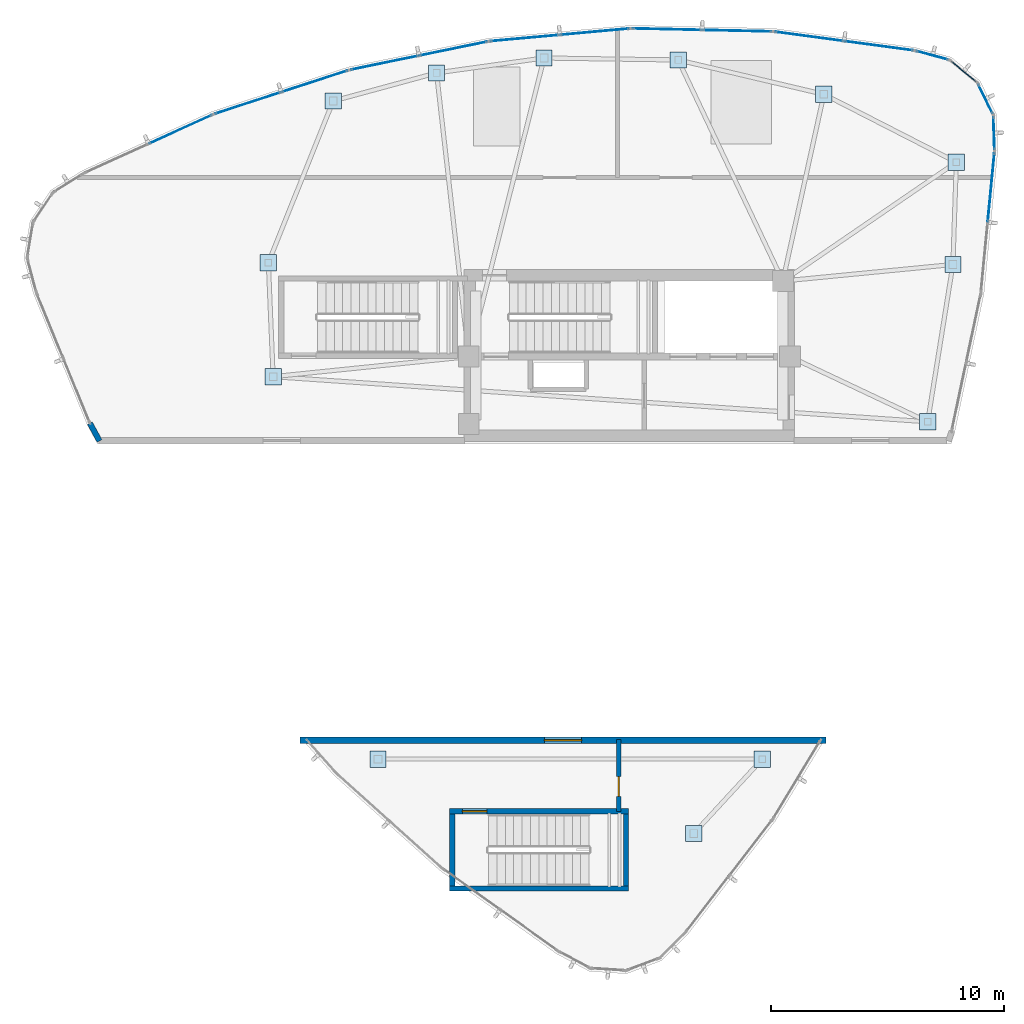
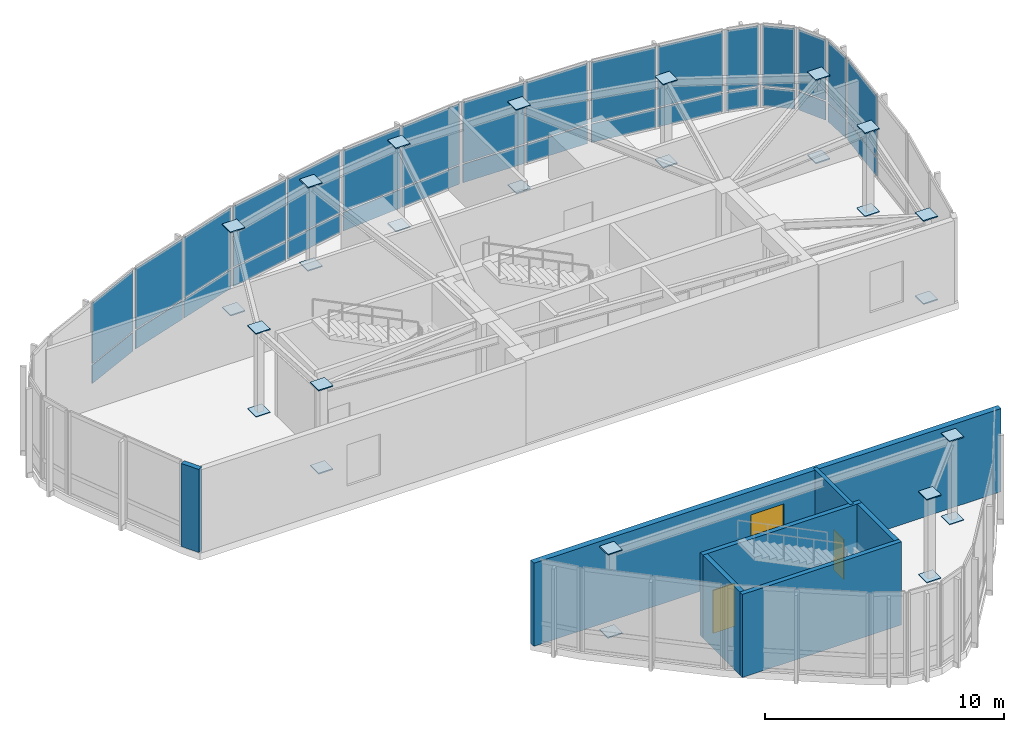
# One storey, part 10 of 16: 58 plates, 7 walls, 2 doors, 1 window, 3 openings, 11 elements without a shape of their own.
"""IFC4 building model written with IfcOpenShell, lengths in metres."""

from ifc_helpers import new_model, si_unit, direction, frame, frame_2d, origin, origin_2d, place, context, subcontext, project, spatial, rectangle, extrude, source, transform, mapped, material, layer, layer_set, type_object, type_shapes, element, fill, aggregate, save


model = new_model("IFC4")

# Units and contexts
model_context = context("Model", 3, precision=1e-05, world=origin(), true_north=direction((0.0, 1.0)))
body_context = subcontext(model_context, "Body", "Model", "MODEL_VIEW")
ifc_project = project(units=[si_unit("LENGTHUNIT", "METRE"), si_unit("AREAUNIT", "SQUARE_METRE"), si_unit("VOLUMEUNIT", "CUBIC_METRE"), si_unit("PLANEANGLEUNIT", "RADIAN"), si_unit("MASSUNIT", "GRAM", prefix="KILO")], contexts=[model_context])

# Site, building, storey
site_placement = place(None, origin())
site = spatial("IfcSite", under=ifc_project, at=site_placement, CompositionType="ELEMENT")
building_placement = place(site_placement, origin())
building = spatial("IfcBuilding", under=site, at=building_placement, Name="Tavelor Broadcast Tower", CompositionType="ELEMENT")
storey_placement = place(building_placement, frame((0.0, 0.0, 336.699951171875)))
storey = spatial("IfcBuildingStorey", under=building, at=storey_placement, Name="L80", CompositionType="ELEMENT", Elevation=336.699951171875)

# Plates
ifc_material_1 = material(Name="Steel S460", Category="steel")
ifc_layer_1 = layer(ifc_material_1, 0.050048828125)
ifc_layer_set_1 = layer_set([ifc_layer_1], Name="Steel S460")
plate_type_1 = type_object("IfcPlateType", Name="Tube Hollow-End Cap Plate KN05 700x700x50", PredefinedType="USERDEFINED", material=ifc_layer_set_1)
shared_shape_1 = source(origin(), body_context, "Body", "SweptSolid", [
    extrude(rectangle(XDim=0.699951171875, YDim=0.699951171875, at=origin_2d()), origin(), (0.0, 0.0, 1.0), 0.054931640625),
])
type_shapes(plate_type_1, [shared_shape_1])
for number, where, z_axis, x_axis, name in (
    (1, (37.27294921875, 58.9375, -0.02734375), (0.0, 0.0, 1.0), (1.0, 0.0, 0.0), "L80 Hollow End Cap Plate KN05 #2451"),
    (2, (37.27294921875, 58.9375, 4.22265625), (0.0, 0.0, 1.0), (1.0, 0.0, 0.0), "L80 Hollow End Cap Plate KN05 #2452"),
    (3, (34.4853515625, 51.989013671875, -0.02734375), (0.0, 0.0, 1.0), (1.0, 0.0, 0.0), "L80 Hollow End Cap Plate KN05 #2453"),
    (4, (34.4853515625, 51.989013671875, 4.22265625), (0.0, 0.0, 1.0), (1.0, 0.0, 0.0), "L80 Hollow End Cap Plate KN05 #2454"),
    (5, (34.690673828125, 47.090087890625, -0.02734375), (0.0, 0.0, 1.0), (1.0, 0.0, 0.0), "L80 Hollow End Cap Plate KN05 #2455"),
    (6, (34.690673828125, 47.090087890625, 4.22265625), (0.0, 0.0, 1.0), (1.0, 0.0, 0.0), "L80 Hollow End Cap Plate KN05 #2456"),
    (7, (62.826416015625, 45.14990234375, -0.02734375), (0.0, 0.0, 1.0), (1.0, 0.0, 0.0), "L80 Hollow End Cap Plate KN05 #2457"),
    (8, (62.826416015625, 45.14990234375, 4.22265625), (0.0, 0.0, 1.0), (1.0, 0.0, 0.0), "L80 Hollow End Cap Plate KN05 #2458"),
    (9, (63.910888671875, 51.91064453125, -0.02734375), (0.0, 0.0, 1.0), (1.0, 0.0, 0.0), "L80 Hollow End Cap Plate KN05 #2459"),
    (10, (63.910888671875, 51.91064453125, 4.22265625), (0.0, 0.0, 1.0), (1.0, 0.0, 0.0), "L80 Hollow End Cap Plate KN05 #2460"),
    (11, (64.058349609375, 56.30859375, -0.02734375), (0.0, 0.0, 1.0), (1.0, 0.0, 0.0), "L80 Hollow End Cap Plate KN05 #2461"),
    (12, (64.058349609375, 56.30859375, 4.22265625), (0.0, 0.0, 1.0), (1.0, 0.0, 0.0), "L80 Hollow End Cap Plate KN05 #2462"),
    (13, (58.364013671875, 59.226318359375, -0.02734375), (0.0, 0.0, 1.0), (1.0, 0.0, 0.0), "L80 Hollow End Cap Plate KN05 #2463"),
    (14, (58.364013671875, 59.226318359375, 4.22265625), (0.0, 0.0, 1.0), (1.0, 0.0, 0.0), "L80 Hollow End Cap Plate KN05 #2464"),
    (15, (52.10400390625, 60.701416015625, -0.02734375), (0.0, 0.0, 1.0), (1.0, 0.0, 0.0), "L80 Hollow End Cap Plate KN05 #2465"),
    (16, (52.10400390625, 60.701416015625, 4.22265625), (0.0, 0.0, 1.0), (1.0, 0.0, 0.0), "L80 Hollow End Cap Plate KN05 #2466"),
    (17, (46.337158203125, 60.786865234375, -0.02734375), (0.0, 0.0, 1.0), (1.0, 0.0, 0.0), "L80 Hollow End Cap Plate KN05 #2467"),
    (18, (46.337158203125, 60.786865234375, 4.22265625), (0.0, 0.0, 1.0), (1.0, 0.0, 0.0), "L80 Hollow End Cap Plate KN05 #2468"),
    (19, (41.715087890625, 60.145751953125, -0.02734375), (0.0, 0.0, 1.0), (1.0, 0.0, 0.0), "L80 Hollow End Cap Plate KN05 #2469"),
    (20, (41.715087890625, 60.145751953125, 4.22265625), (0.0, 0.0, 1.0), (1.0, 0.0, 0.0), "L80 Hollow End Cap Plate KN05 #2470"),
    (21, (52.76708984375, 27.447998046875, -0.02734375), (0.0, 0.0, 1.0), (1.0, 0.0, 0.0), "L80 Hollow End Cap Plate KN05 #2471"),
    (22, (52.76708984375, 27.447998046875, 4.22265625), (0.0, 0.0, 1.0), (1.0, 0.0, 0.0), "L80 Hollow End Cap Plate KN05 #2472"),
    (23, (55.718505859375, 30.64990234375, -0.02734375), (0.0, 0.0, 1.0), (1.0, 0.0, 0.0), "L80 Hollow End Cap Plate KN05 #2473"),
    (24, (55.718505859375, 30.64990234375, 4.22265625), (0.0, 0.0, 1.0), (1.0, 0.0, 0.0), "L80 Hollow End Cap Plate KN05 #2474"),
    (25, (39.197509765625, 30.64990234375, -0.02734375), (0.0, 0.0, 1.0), (1.0, 0.0, 0.0), "L80 Hollow End Cap Plate KN05 #2475"),
    (26, (39.197509765625, 30.64990234375, 4.22265625), (0.0, 0.0, 1.0), (1.0, 0.0, 0.0), "L80 Hollow End Cap Plate KN05 #2476"),
):
    element("IfcPlate", number, at=place(storey_placement, frame(where, z_axis=z_axis, x_axis=x_axis)), inside=storey, type_object=plate_type_1, Name=name, ObjectType="CAP PLATE", PredefinedType="USERDEFINED", context=body_context, shape_type="MappedRepresentation", body=[
        mapped(shared_shape_1, transform((0.0, 0.0, 0.0), scale=1.0)),
    ])

# Curtain wall, plate
ifc_material_2 = material(Name="Architectural Anodized Aluminium", Category="aluminium")
ifc_layer_2 = layer(ifc_material_2, 0.2099609375)
ifc_layer_set_2 = layer_set([ifc_layer_2], Name="Architectural Anodized Aluminium")
curtain_wall_type = type_object("IfcCurtainWallType", Name="Split-Crown Beacon Curtain Wall CW06", PredefinedType="NOTDEFINED", material=ifc_layer_set_2)
curtain_wall_1_placement = place(storey_placement, origin())
curtain_wall_1 = element("IfcCurtainWall", 27, at=curtain_wall_1_placement, inside=storey, type_object=curtain_wall_type, Name="L80 Curtain Wall CW06 Run 904", PredefinedType="NOTDEFINED")
ifc_material_3 = material(Name="Dichroic Solar Laminated Glazing 34 mm", Category="glass")
ifc_layer_3 = layer(ifc_material_3, 0.033935546875)
ifc_layer_set_3 = layer_set([ifc_layer_3], Name="Dichroic Solar Laminated Glazing 34 mm")
plate_type_2 = type_object("IfcPlateType", Name="CW06 Insulated Vision Glazing Panel 34 mm", PredefinedType="CURTAIN_PANEL", material=ifc_layer_set_3)
shared_shape_2 = source(origin(), body_context, "Body", "SweptSolid", [
    extrude(rectangle(XDim=2.94140625, YDim=0.033935546875, at=origin_2d()), origin(), (0.0, 0.0, 1.0), 0.94189453125),
])
plate_1_placement = place(storey_placement, frame((65.552001953125, 55.22412109375, 0.072021484375), z_axis=(0.0, 0.0, 1.0), x_axis=(0.09619633773, 0.995362378537, 0.0)))
plate_1 = element("IfcPlate", 28, at=plate_1_placement, type_object=plate_type_2, Name="CW06 panel 2.1", PredefinedType="CURTAIN_PANEL", context=body_context, shape_type="MappedRepresentation", body=[
    mapped(shared_shape_2, transform((0.0, 0.0, 0.0), scale=1.0)),
])

# Curtain wall, plates
curtain_wall_2_placement = place(storey_placement, origin())
curtain_wall_2 = element("IfcCurtainWall", 29, at=curtain_wall_2_placement, inside=storey, type_object=curtain_wall_type, Name="L80 Curtain Wall CW06 Run 909", PredefinedType="NOTDEFINED")
plate_2_placement = place(storey_placement, frame((60.7275390625, 61.311279296875, 0.072021484375), z_axis=(0.0, 0.0, 1.0), x_axis=(-0.991031496578, 0.133628487947, 0.0)))
plate_2 = element("IfcPlate", 30, at=plate_2_placement, type_object=plate_type_2, Name="CW06 panel 1.1", PredefinedType="CURTAIN_PANEL", context=body_context, shape_type="MappedRepresentation", body=[
    mapped(shared_shape_2, transform((0.0, 0.0, 0.0), scale=1.0)),
])
plate_3_placement = place(storey_placement, frame((57.740966796875, 61.7138671875, 0.072021484375), z_axis=(0.0, 0.0, 1.0), x_axis=(-0.991031496578, 0.133628487947, 0.0)))
plate_3 = element("IfcPlate", 31, at=plate_3_placement, type_object=plate_type_2, Name="CW06 panel 2.1", PredefinedType="CURTAIN_PANEL", context=body_context, shape_type="MappedRepresentation", body=[
    mapped(shared_shape_2, transform((0.0, 0.0, 0.0), scale=1.0)),
])

# Curtain wall, plate
curtain_wall_3_placement = place(storey_placement, origin())
curtain_wall_3 = element("IfcCurtainWall", 32, at=curtain_wall_3_placement, inside=storey, type_object=curtain_wall_type, Name="L80 Curtain Wall CW06 Run 914", PredefinedType="NOTDEFINED")
plate_4_placement = place(storey_placement, frame((30.712158203125, 57.72265625, 0.072021484375), z_axis=(0.0, 0.0, 1.0), x_axis=(-0.910109689014, -0.414367414215, 0.0)))
plate_4 = element("IfcPlate", 33, at=plate_4_placement, type_object=plate_type_2, Name="CW06 panel 1.1", PredefinedType="CURTAIN_PANEL", context=body_context, shape_type="MappedRepresentation", body=[
    mapped(shared_shape_2, transform((0.0, 0.0, 0.0), scale=1.0)),
])

# Plate
shared_shape_3 = source(origin(), body_context, "Body", "SweptSolid", [
    extrude(rectangle(XDim=2.94140625, YDim=0.033935546875, at=origin_2d()), origin(), (0.0, 0.0, 1.0), 3.092041015625),
])
plate_5_placement = place(storey_placement, frame((65.552001953125, 55.22412109375, 1.0859375), z_axis=(0.0, 0.0, 1.0), x_axis=(0.09619633773, 0.995362378537, 0.0)))
plate_5 = element("IfcPlate", 34, at=plate_5_placement, type_object=plate_type_2, Name="CW06 panel 2.2", PredefinedType="CURTAIN_PANEL", context=body_context, shape_type="MappedRepresentation", body=[
    mapped(shared_shape_3, transform((0.0, 0.0, 0.0), scale=1.0)),
])

aggregate(curtain_wall_1, [plate_1, plate_5])

plate_6_placement = place(storey_placement, frame((60.7275390625, 61.311279296875, 1.0859375), z_axis=(0.0, 0.0, 1.0), x_axis=(-0.991031496578, 0.133628487947, 0.0)))
plate_6 = element("IfcPlate", 35, at=plate_6_placement, type_object=plate_type_2, Name="CW06 panel 1.2", PredefinedType="CURTAIN_PANEL", context=body_context, shape_type="MappedRepresentation", body=[
    mapped(shared_shape_3, transform((0.0, 0.0, 0.0), scale=1.0)),
])

plate_7_placement = place(storey_placement, frame((57.740966796875, 61.7138671875, 1.0859375), z_axis=(0.0, 0.0, 1.0), x_axis=(-0.991031496578, 0.133628487947, 0.0)))
plate_7 = element("IfcPlate", 36, at=plate_7_placement, type_object=plate_type_2, Name="CW06 panel 2.2", PredefinedType="CURTAIN_PANEL", context=body_context, shape_type="MappedRepresentation", body=[
    mapped(shared_shape_3, transform((0.0, 0.0, 0.0), scale=1.0)),
])

aggregate(curtain_wall_2, [plate_2, plate_6, plate_3, plate_7])

plate_8_placement = place(storey_placement, frame((30.712158203125, 57.72265625, 1.0859375), z_axis=(0.0, 0.0, 1.0), x_axis=(-0.910109689014, -0.414367414215, 0.0)))
plate_8 = element("IfcPlate", 37, at=plate_8_placement, type_object=plate_type_2, Name="CW06 panel 1.2", PredefinedType="CURTAIN_PANEL", context=body_context, shape_type="MappedRepresentation", body=[
    mapped(shared_shape_3, transform((0.0, 0.0, 0.0), scale=1.0)),
])

aggregate(curtain_wall_3, [plate_4, plate_8])

# Curtain wall, plate
curtain_wall_4_placement = place(storey_placement, origin())
curtain_wall_4 = element("IfcCurtainWall", 38, at=curtain_wall_4_placement, inside=storey, type_object=curtain_wall_type, Name="L80 Curtain Wall CW06 Run 905", PredefinedType="NOTDEFINED")
shared_shape_4 = source(origin(), body_context, "Body", "SweptSolid", [
    extrude(rectangle(XDim=1.38720703125, YDim=0.033935546875, at=origin_2d()), origin(), (0.0, 0.0, 1.0), 0.94189453125),
])
plate_9_placement = place(storey_placement, frame((65.67529296875, 57.554931640625, 0.072021484375), z_axis=(0.0, 0.0, 1.0), x_axis=(-0.034028118962, 0.999420875868, 0.0)))
plate_9 = element("IfcPlate", 39, at=plate_9_placement, type_object=plate_type_2, Name="CW06 panel 1.1", PredefinedType="CURTAIN_PANEL", context=body_context, shape_type="MappedRepresentation", body=[
    mapped(shared_shape_4, transform((0.0, 0.0, 0.0), scale=1.0)),
])

curtain_wall_5_placement = place(storey_placement, origin())
curtain_wall_5 = element("IfcCurtainWall", 40, at=curtain_wall_5_placement, inside=storey, type_object=curtain_wall_type, Name="L80 Curtain Wall CW06 Run 908", PredefinedType="NOTDEFINED")
plate_10_placement = place(storey_placement, frame((63.024658203125, 60.899169921875, 0.072021484375), z_axis=(0.0, 0.0, 1.0), x_axis=(-0.965237014262, 0.261376177758, 0.0)))
plate_10 = element("IfcPlate", 41, at=plate_10_placement, type_object=plate_type_2, Name="CW06 panel 1.1", PredefinedType="CURTAIN_PANEL", context=body_context, shape_type="MappedRepresentation", body=[
    mapped(shared_shape_4, transform((0.0, 0.0, 0.0), scale=1.0)),
])

# Plate
shared_shape_5 = source(origin(), body_context, "Body", "SweptSolid", [
    extrude(rectangle(XDim=1.38720703125, YDim=0.033935546875, at=origin_2d()), origin(), (0.0, 0.0, 1.0), 3.092041015625),
])
plate_11_placement = place(storey_placement, frame((65.67529296875, 57.554931640625, 1.0859375), z_axis=(0.0, 0.0, 1.0), x_axis=(-0.034028118962, 0.999420875868, 0.0)))
plate_11 = element("IfcPlate", 42, at=plate_11_placement, type_object=plate_type_2, Name="CW06 panel 1.2", PredefinedType="CURTAIN_PANEL", context=body_context, shape_type="MappedRepresentation", body=[
    mapped(shared_shape_5, transform((0.0, 0.0, 0.0), scale=1.0)),
])

aggregate(curtain_wall_4, [plate_9, plate_11])

plate_12_placement = place(storey_placement, frame((63.024658203125, 60.899169921875, 1.0859375), z_axis=(0.0, 0.0, 1.0), x_axis=(-0.965237014262, 0.261376177758, 0.0)))
plate_12 = element("IfcPlate", 43, at=plate_12_placement, type_object=plate_type_2, Name="CW06 panel 1.2", PredefinedType="CURTAIN_PANEL", context=body_context, shape_type="MappedRepresentation", body=[
    mapped(shared_shape_5, transform((0.0, 0.0, 0.0), scale=1.0)),
])

aggregate(curtain_wall_5, [plate_10, plate_12])

# Curtain wall, plate
curtain_wall_6_placement = place(storey_placement, origin())
curtain_wall_6 = element("IfcCurtainWall", 44, at=curtain_wall_6_placement, inside=storey, type_object=curtain_wall_type, Name="L80 Curtain Wall CW06 Run 906", PredefinedType="NOTDEFINED")
shared_shape_6 = source(origin(), body_context, "Body", "SweptSolid", [
    extrude(rectangle(XDim=1.3662109375, YDim=0.033935546875, at=origin_2d()), origin(), (0.0, 0.0, 1.0), 0.94189453125),
])
plate_13_placement = place(storey_placement, frame((65.30810546875, 59.025634765625, 0.072021484375), z_axis=(0.0, 0.0, 1.0), x_axis=(-0.442333343652, 0.896850719515, 0.0)))
plate_13 = element("IfcPlate", 45, at=plate_13_placement, type_object=plate_type_2, Name="CW06 panel 1.1", PredefinedType="CURTAIN_PANEL", context=body_context, shape_type="MappedRepresentation", body=[
    mapped(shared_shape_6, transform((0.0, 0.0, 0.0), scale=1.0)),
])

curtain_wall_7_placement = place(storey_placement, origin())
curtain_wall_7 = element("IfcCurtainWall", 46, at=curtain_wall_7_placement, inside=storey, type_object=curtain_wall_type, Name="L80 Curtain Wall CW06 Run 907", PredefinedType="NOTDEFINED")
plate_14_placement = place(storey_placement, frame((64.372802734375, 60.205810546875, 0.072021484375), z_axis=(0.0, 0.0, 1.0), x_axis=(-0.772190113049, 0.6353915559, 0.0)))
plate_14 = element("IfcPlate", 47, at=plate_14_placement, type_object=plate_type_2, Name="CW06 panel 1.1", PredefinedType="CURTAIN_PANEL", context=body_context, shape_type="MappedRepresentation", body=[
    mapped(shared_shape_6, transform((0.0, 0.0, 0.0), scale=1.0)),
])

# Plate
shared_shape_7 = source(origin(), body_context, "Body", "SweptSolid", [
    extrude(rectangle(XDim=1.3662109375, YDim=0.033935546875, at=origin_2d()), origin(), (0.0, 0.0, 1.0), 3.092041015625),
])
plate_15_placement = place(storey_placement, frame((65.30810546875, 59.025634765625, 1.0859375), z_axis=(0.0, 0.0, 1.0), x_axis=(-0.442333343652, 0.896850719515, 0.0)))
plate_15 = element("IfcPlate", 48, at=plate_15_placement, type_object=plate_type_2, Name="CW06 panel 1.2", PredefinedType="CURTAIN_PANEL", context=body_context, shape_type="MappedRepresentation", body=[
    mapped(shared_shape_7, transform((0.0, 0.0, 0.0), scale=1.0)),
])

aggregate(curtain_wall_6, [plate_13, plate_15])

plate_16_placement = place(storey_placement, frame((64.372802734375, 60.205810546875, 1.0859375), z_axis=(0.0, 0.0, 1.0), x_axis=(-0.772190113049, 0.6353915559, 0.0)))
plate_16 = element("IfcPlate", 49, at=plate_16_placement, type_object=plate_type_2, Name="CW06 panel 1.2", PredefinedType="CURTAIN_PANEL", context=body_context, shape_type="MappedRepresentation", body=[
    mapped(shared_shape_7, transform((0.0, 0.0, 0.0), scale=1.0)),
])

aggregate(curtain_wall_7, [plate_14, plate_16])

# Curtain wall, plates
curtain_wall_8_placement = place(storey_placement, origin())
curtain_wall_8 = element("IfcCurtainWall", 50, at=curtain_wall_8_placement, inside=storey, type_object=curtain_wall_type, Name="L80 Curtain Wall CW06 Run 910", PredefinedType="NOTDEFINED")
shared_shape_8 = source(origin(), body_context, "Body", "SweptSolid", [
    extrude(rectangle(XDim=2.942138671875, YDim=0.033935546875, at=origin_2d()), origin(), (0.0, 0.0, 1.0), 0.94189453125),
])
plate_17_placement = place(storey_placement, frame((54.639404296875, 61.9560546875, 0.072021484375), z_axis=(0.0, 0.0, 1.0), x_axis=(-0.999762656935, 0.021786000052, 0.0)))
plate_17 = element("IfcPlate", 51, at=plate_17_placement, type_object=plate_type_2, Name="CW06 panel 1.1", PredefinedType="CURTAIN_PANEL", context=body_context, shape_type="MappedRepresentation", body=[
    mapped(shared_shape_8, transform((0.0, 0.0, 0.0), scale=1.0)),
])
plate_18_placement = place(storey_placement, frame((51.6259765625, 62.021728515625, 0.072021484375), z_axis=(0.0, 0.0, 1.0), x_axis=(-0.999762656935, 0.021786000052, 0.0)))
plate_18 = element("IfcPlate", 52, at=plate_18_placement, type_object=plate_type_2, Name="CW06 panel 2.1", PredefinedType="CURTAIN_PANEL", context=body_context, shape_type="MappedRepresentation", body=[
    mapped(shared_shape_8, transform((0.0, 0.0, 0.0), scale=1.0)),
])

curtain_wall_9_placement = place(storey_placement, origin())
curtain_wall_9 = element("IfcCurtainWall", 53, at=curtain_wall_9_placement, inside=storey, type_object=curtain_wall_type, Name="L80 Curtain Wall CW06 Run 911", PredefinedType="NOTDEFINED")
plate_19_placement = place(storey_placement, frame((48.5166015625, 61.914794921875, 0.072021484375), z_axis=(0.0, 0.0, 1.0), x_axis=(-0.995909582637, -0.090355427129, 0.0)))
plate_19 = element("IfcPlate", 54, at=plate_19_placement, type_object=plate_type_2, Name="CW06 panel 1.1", PredefinedType="CURTAIN_PANEL", context=body_context, shape_type="MappedRepresentation", body=[
    mapped(shared_shape_8, transform((0.0, 0.0, 0.0), scale=1.0)),
])
plate_20_placement = place(storey_placement, frame((45.514892578125, 61.642578125, 0.072021484375), z_axis=(0.0, 0.0, 1.0), x_axis=(-0.995909582637, -0.090355427129, 0.0)))
plate_20 = element("IfcPlate", 55, at=plate_20_placement, type_object=plate_type_2, Name="CW06 panel 2.1", PredefinedType="CURTAIN_PANEL", context=body_context, shape_type="MappedRepresentation", body=[
    mapped(shared_shape_8, transform((0.0, 0.0, 0.0), scale=1.0)),
])

curtain_wall_10_placement = place(storey_placement, origin())
curtain_wall_10 = element("IfcCurtainWall", 56, at=curtain_wall_10_placement, inside=storey, type_object=curtain_wall_type, Name="L80 Curtain Wall CW06 Run 912", PredefinedType="NOTDEFINED")
plate_21_placement = place(storey_placement, frame((42.43701171875, 61.18798828125, 0.072021484375), z_axis=(0.0, 0.0, 1.0), x_axis=(-0.979518800143, -0.201352725749, 0.0)))
plate_21 = element("IfcPlate", 57, at=plate_21_placement, type_object=plate_type_2, Name="CW06 panel 1.1", PredefinedType="CURTAIN_PANEL", context=body_context, shape_type="MappedRepresentation", body=[
    mapped(shared_shape_8, transform((0.0, 0.0, 0.0), scale=1.0)),
])
plate_22_placement = place(storey_placement, frame((39.484619140625, 60.581298828125, 0.072021484375), z_axis=(0.0, 0.0, 1.0), x_axis=(-0.979518800143, -0.201352725749, 0.0)))
plate_22 = element("IfcPlate", 58, at=plate_22_placement, type_object=plate_type_2, Name="CW06 panel 2.1", PredefinedType="CURTAIN_PANEL", context=body_context, shape_type="MappedRepresentation", body=[
    mapped(shared_shape_8, transform((0.0, 0.0, 0.0), scale=1.0)),
])

curtain_wall_11_placement = place(storey_placement, origin())
curtain_wall_11 = element("IfcCurtainWall", 59, at=curtain_wall_11_placement, inside=storey, type_object=curtain_wall_type, Name="L80 Curtain Wall CW06 Run 913", PredefinedType="NOTDEFINED")
plate_23_placement = place(storey_placement, frame((36.47705078125, 59.78466796875, 0.072021484375), z_axis=(0.0, 0.0, 1.0), x_axis=(-0.950794416399, -0.309822493929, 0.0)))
plate_23 = element("IfcPlate", 60, at=plate_23_placement, type_object=plate_type_2, Name="CW06 panel 1.1", PredefinedType="CURTAIN_PANEL", context=body_context, shape_type="MappedRepresentation", body=[
    mapped(shared_shape_8, transform((0.0, 0.0, 0.0), scale=1.0)),
])
plate_24_placement = place(storey_placement, frame((33.611328125, 58.850830078125, 0.072021484375), z_axis=(0.0, 0.0, 1.0), x_axis=(-0.950794416399, -0.309822493929, 0.0)))
plate_24 = element("IfcPlate", 61, at=plate_24_placement, type_object=plate_type_2, Name="CW06 panel 2.1", PredefinedType="CURTAIN_PANEL", context=body_context, shape_type="MappedRepresentation", body=[
    mapped(shared_shape_8, transform((0.0, 0.0, 0.0), scale=1.0)),
])

# Plate
shared_shape_9 = source(origin(), body_context, "Body", "SweptSolid", [
    extrude(rectangle(XDim=2.942138671875, YDim=0.033935546875, at=origin_2d()), origin(), (0.0, 0.0, 1.0), 3.092041015625),
])
type_shapes(plate_type_2, [shared_shape_2, shared_shape_3, shared_shape_4, shared_shape_5, shared_shape_6, shared_shape_7, shared_shape_8, shared_shape_9])
plate_25_placement = place(storey_placement, frame((54.639404296875, 61.9560546875, 1.0859375), z_axis=(0.0, 0.0, 1.0), x_axis=(-0.999762656935, 0.021786000052, 0.0)))
plate_25 = element("IfcPlate", 62, at=plate_25_placement, type_object=plate_type_2, Name="CW06 panel 1.2", PredefinedType="CURTAIN_PANEL", context=body_context, shape_type="MappedRepresentation", body=[
    mapped(shared_shape_9, transform((0.0, 0.0, 0.0), scale=1.0)),
])

plate_26_placement = place(storey_placement, frame((51.6259765625, 62.021728515625, 1.0859375), z_axis=(0.0, 0.0, 1.0), x_axis=(-0.999762656935, 0.021786000052, 0.0)))
plate_26 = element("IfcPlate", 63, at=plate_26_placement, type_object=plate_type_2, Name="CW06 panel 2.2", PredefinedType="CURTAIN_PANEL", context=body_context, shape_type="MappedRepresentation", body=[
    mapped(shared_shape_9, transform((0.0, 0.0, 0.0), scale=1.0)),
])

aggregate(curtain_wall_8, [plate_17, plate_25, plate_18, plate_26])

plate_27_placement = place(storey_placement, frame((48.5166015625, 61.914794921875, 1.0859375), z_axis=(0.0, 0.0, 1.0), x_axis=(-0.995909582637, -0.090355427129, 0.0)))
plate_27 = element("IfcPlate", 64, at=plate_27_placement, type_object=plate_type_2, Name="CW06 panel 1.2", PredefinedType="CURTAIN_PANEL", context=body_context, shape_type="MappedRepresentation", body=[
    mapped(shared_shape_9, transform((0.0, 0.0, 0.0), scale=1.0)),
])

plate_28_placement = place(storey_placement, frame((45.514892578125, 61.642578125, 1.0859375), z_axis=(0.0, 0.0, 1.0), x_axis=(-0.995909582637, -0.090355427129, 0.0)))
plate_28 = element("IfcPlate", 65, at=plate_28_placement, type_object=plate_type_2, Name="CW06 panel 2.2", PredefinedType="CURTAIN_PANEL", context=body_context, shape_type="MappedRepresentation", body=[
    mapped(shared_shape_9, transform((0.0, 0.0, 0.0), scale=1.0)),
])

aggregate(curtain_wall_9, [plate_19, plate_27, plate_20, plate_28])

plate_29_placement = place(storey_placement, frame((42.43701171875, 61.18798828125, 1.0859375), z_axis=(0.0, 0.0, 1.0), x_axis=(-0.979518800143, -0.201352725749, 0.0)))
plate_29 = element("IfcPlate", 66, at=plate_29_placement, type_object=plate_type_2, Name="CW06 panel 1.2", PredefinedType="CURTAIN_PANEL", context=body_context, shape_type="MappedRepresentation", body=[
    mapped(shared_shape_9, transform((0.0, 0.0, 0.0), scale=1.0)),
])

plate_30_placement = place(storey_placement, frame((39.484619140625, 60.581298828125, 1.0859375), z_axis=(0.0, 0.0, 1.0), x_axis=(-0.979518800143, -0.201352725749, 0.0)))
plate_30 = element("IfcPlate", 67, at=plate_30_placement, type_object=plate_type_2, Name="CW06 panel 2.2", PredefinedType="CURTAIN_PANEL", context=body_context, shape_type="MappedRepresentation", body=[
    mapped(shared_shape_9, transform((0.0, 0.0, 0.0), scale=1.0)),
])

aggregate(curtain_wall_10, [plate_21, plate_29, plate_22, plate_30])

plate_31_placement = place(storey_placement, frame((36.47705078125, 59.78466796875, 1.0859375), z_axis=(0.0, 0.0, 1.0), x_axis=(-0.950794416399, -0.309822493929, 0.0)))
plate_31 = element("IfcPlate", 68, at=plate_31_placement, type_object=plate_type_2, Name="CW06 panel 1.2", PredefinedType="CURTAIN_PANEL", context=body_context, shape_type="MappedRepresentation", body=[
    mapped(shared_shape_9, transform((0.0, 0.0, 0.0), scale=1.0)),
])

plate_32_placement = place(storey_placement, frame((33.611328125, 58.850830078125, 1.0859375), z_axis=(0.0, 0.0, 1.0), x_axis=(-0.950794416399, -0.309822493929, 0.0)))
plate_32 = element("IfcPlate", 69, at=plate_32_placement, type_object=plate_type_2, Name="CW06 panel 2.2", PredefinedType="CURTAIN_PANEL", context=body_context, shape_type="MappedRepresentation", body=[
    mapped(shared_shape_9, transform((0.0, 0.0, 0.0), scale=1.0)),
])

aggregate(curtain_wall_11, [plate_23, plate_31, plate_24, plate_32])

# Wall, opening, door
ifc_material_4 = material(Name="Calcium Silicate Fire Board 180 mm", Category="gypsum")
ifc_layer_4 = layer(ifc_material_4, 0.179931640625)
ifc_layer_set_4 = layer_set([ifc_layer_4], Name="Calcium Silicate Fire Board 180 mm")
wall_type_1 = type_object("IfcWallType", Name="Fire-Rated Corridor Partition Wall 180 mm", PredefinedType="PARTITIONING", material=ifc_layer_set_4)
wall_1_placement = place(storey_placement, frame((49.550048828125, 28.39990234375, 0.0), z_axis=(0.0, 0.0, 1.0), x_axis=(0.0, 1.0, 0.0)))
wall_1 = element("IfcWall", 70, at=wall_1_placement, inside=storey, type_object=wall_type_1, Name="L80 Peak B Telemetry Plant Wall", PredefinedType="PARTITIONING", context=body_context, shape_type="SweptSolid", body=[
    extrude(rectangle(XDim=3.10009765625, YDim=0.179931640625, at=frame_2d((1.550048828125, 0.0))), origin(), (0.0, 0.0, 1.0), 4.25),
])
opening_1_placement = place(wall_1_placement, frame((0.64990234375, 0.0, 0.0)))
opening_1 = element("IfcOpeningElement", 71, at=opening_1_placement, cuts=wall_1, Name="Opening DR36", PredefinedType="OPENING", context=body_context, shape_type="SweptSolid", body=[
    extrude(rectangle(XDim=0.85009765625, YDim=2.050048828125, at=frame_2d((0.425048828125, 1.02490234375))), frame((0.0, 0.10009765625, 0.0), z_axis=(0.0, -1.0, 0.0), x_axis=(1.0, 0.0, 0.0)), (0.0, 0.0, 1.0), 0.199951171875),
])
ifc_material_5 = material(Name="Steel S355", Category="steel")
door_type_1 = type_object("IfcDoorType", Name="Service Room Fire Door 850x2050", OperationType="NOTDEFINED", PredefinedType="DOOR", material=ifc_material_5)
door_1_placement = place(opening_1_placement, origin())
door_1 = element("IfcDoor", 72, at=door_1_placement, inside=storey, type_object=door_type_1, Name="L80 Peak B Telemetry Plant Door", OperationType="SINGLE_SWING_RIGHT", OverallHeight=2.050048828125, OverallWidth=0.85009765625, PredefinedType="DOOR", context=body_context, shape_type="SweptSolid", body=[
    extrude(rectangle(XDim=0.85009765625, YDim=2.050048828125, at=frame_2d((0.425048828125, 1.02490234375))), frame((0.0, 0.02490234375, 0.0), z_axis=(0.0, -1.0, 0.0), x_axis=(1.0, 0.0, 0.0)), (0.0, 0.0, 1.0), 0.050048828125),
])
fill(opening_1, door_1)

# Wall, opening, window
ifc_material_6 = material(Name="Precast Concrete C40/50", Category="concrete")
ifc_layer_5 = layer(ifc_material_6, 0.280029296875)
ifc_layer_set_5 = layer_set([ifc_layer_5], Name="Precast Concrete C40/50")
wall_type_2 = type_object("IfcWallType", Name="Insulated Precast Terracotta Facade Wall 280 mm", PredefinedType="STANDARD", material=ifc_layer_set_5)
wall_2_placement = place(storey_placement, frame((58.45654296875, 31.4599609375, 0.0), z_axis=(0.0, 0.0, 1.0), x_axis=(-1.0, 0.0, 0.0)))
wall_2 = element("IfcWall", 73, at=wall_2_placement, inside=storey, type_object=wall_type_2, Name="L80 Crown Peak B Sky-Slot Wall 01.1", PredefinedType="STANDARD", context=body_context, shape_type="SweptSolid", body=[
    extrude(rectangle(XDim=22.601806640625, YDim=0.280029296875, at=frame_2d((11.30078125, 0.0))), origin(), (0.0, 0.0, 1.0), 4.25),
])
opening_2_placement = place(wall_2_placement, frame((10.5009765625, 0.0, 0.949951171875)))
opening_2 = element("IfcOpeningElement", 74, at=opening_2_placement, cuts=wall_2, Name="Opening WN29", PredefinedType="OPENING", context=body_context, shape_type="SweptSolid", body=[
    extrude(rectangle(XDim=1.60009765625, YDim=2.10009765625, at=frame_2d((0.800048828125, 1.050048828125))), frame((0.0, 0.14990234375, 0.0), z_axis=(0.0, -1.0, 0.0), x_axis=(1.0, 0.0, 0.0)), (0.0, 0.0, 1.0), 0.300048828125),
])
ifc_material_7 = material(Name="Acoustic Double Glazing 28 mm", Category="glass")
window_type = type_object("IfcWindowType", Name="Crown Beacon Observation Window 1600x2100", PartitioningType="SINGLE_PANEL", PredefinedType="WINDOW", material=ifc_material_7)
window_placement = place(opening_2_placement, origin())
window = element("IfcWindow", 75, at=window_placement, inside=storey, type_object=window_type, Name="L80 Crown Sky-Slot Observation Window B01.1", OverallHeight=2.10009765625, OverallWidth=1.60009765625, PartitioningType="SINGLE_PANEL", PredefinedType="WINDOW", context=body_context, shape_type="SweptSolid", body=[
    extrude(rectangle(XDim=1.60009765625, YDim=2.10009765625, at=frame_2d((0.800048828125, 1.050048828125))), frame((0.0, 0.030029296875, 0.0), z_axis=(0.0, -1.0, 0.0), x_axis=(1.0, 0.0, 0.0)), (0.0, 0.0, 1.0), 0.06005859375),
])
fill(opening_2, window)

# Walls
ifc_layer_6 = layer(ifc_material_6, 0.239990234375)
ifc_layer_set_6 = layer_set([ifc_layer_6], Name="Precast Concrete C40/50")
wall_type_3 = type_object("IfcWallType", Name="Roof and Terrace Perimeter Parapet Wall 240 mm", PredefinedType="PARAPET", material=ifc_layer_set_6)
wall_3_placement = place(storey_placement, frame((26.810791015625, 45.08837890625, 0.0), z_axis=(0.0, 0.0, 1.0), x_axis=(0.481174118413, -0.876625044001, 0.0)))
element("IfcWall", 76, at=wall_3_placement, inside=storey, type_object=wall_type_3, Name="L80 Crown Peak A Rounded Apex Pier 20", PredefinedType="PARAPET", context=body_context, shape_type="SweptSolid", body=[
    extrude(rectangle(XDim=0.86865234375, YDim=0.239990234375, at=frame_2d((0.434326171875, 0.0))), origin(), (0.0, 0.0, 1.0), 4.25),
])
ifc_material_8 = material(Name="Concrete C40/50", Category="concrete")
ifc_layer_7 = layer(ifc_material_8, 0.219970703125)
ifc_layer_set_7 = layer_set([ifc_layer_7], Name="Concrete C40/50")
wall_type_4 = type_object("IfcWallType", Name="Structural Stairwell Shear Wall 220 mm", PredefinedType="SHEAR", material=ifc_layer_set_7)
wall_4_placement = place(storey_placement, frame((42.280029296875, 25.090087890625, 0.0), z_axis=(0.0, 0.0, 1.0), x_axis=(1.0, 0.0, 0.0)))
element("IfcWall", 77, at=wall_4_placement, inside=storey, type_object=wall_type_4, Name="L80 Stair ST6 Structural Shaft Wall S", PredefinedType="SHEAR", context=body_context, shape_type="SweptSolid", body=[
    extrude(rectangle(XDim=7.68994140625, YDim=0.219970703125, at=frame_2d((3.844970703125, 0.0))), origin(), (0.0, 0.0, 1.0), 4.25),
])

# Wall, opening, door
wall_5_placement = place(storey_placement, frame((42.280029296875, 28.409912109375, 0.0), z_axis=(0.0, 0.0, 1.0), x_axis=(1.0, 0.0, 0.0)))
wall_5 = element("IfcWall", 78, at=wall_5_placement, inside=storey, type_object=wall_type_4, Name="L80 Stair ST6 Structural Shaft Wall N", PredefinedType="SHEAR", context=body_context, shape_type="SweptSolid", body=[
    extrude(rectangle(XDim=7.68994140625, YDim=0.219970703125, at=frame_2d((3.844970703125, 0.0))), origin(), (0.0, 0.0, 1.0), 4.25),
])
opening_3_placement = place(wall_5_placement, frame((0.550048828125, 0.0, 0.0)))
opening_3 = element("IfcOpeningElement", 79, at=opening_3_placement, cuts=wall_5, Name="Opening DR11", PredefinedType="OPENING", context=body_context, shape_type="SweptSolid", body=[
    extrude(rectangle(XDim=1.050048828125, YDim=2.199951171875, at=frame_2d((0.52490234375, 1.10009765625))), frame((0.0, 0.1201171875, 0.0), z_axis=(0.0, -1.0, 0.0), x_axis=(1.0, 0.0, 0.0)), (0.0, 0.0, 1.0), 0.239990234375),
])
door_type_2 = type_object("IfcDoorType", Name="Stair Core Fire Escape Door 1050x2200", OperationType="NOTDEFINED", PredefinedType="DOOR", material=ifc_material_5)
door_2_placement = place(opening_3_placement, origin())
door_2 = element("IfcDoor", 80, at=door_2_placement, inside=storey, type_object=door_type_2, Name="L80 Stair ST6 Protected Fire Door", OperationType="SINGLE_SWING_LEFT", OverallHeight=2.199951171875, OverallWidth=1.050048828125, PredefinedType="DOOR", context=body_context, shape_type="SweptSolid", body=[
    extrude(rectangle(XDim=1.050048828125, YDim=2.199951171875, at=frame_2d((0.52490234375, 1.10009765625))), frame((0.0, 0.02490234375, 0.0), z_axis=(0.0, -1.0, 0.0), x_axis=(1.0, 0.0, 0.0)), (0.0, 0.0, 1.0), 0.050048828125),
])
fill(opening_3, door_2)

# Walls
for number, where, z_axis, x_axis, name in (
    (81, (49.860107421875, 25.199951171875, 0.0), (0.0, 0.0, 1.0), (0.0, 1.0, 0.0), "L80 Stair ST6 Structural Shaft Wall E"),
    (82, (42.389892578125, 25.199951171875, 0.0), (0.0, 0.0, 1.0), (0.0, 1.0, 0.0), "L80 Stair ST6 Structural Shaft Wall W"),
):
    element("IfcWall", number, at=place(storey_placement, frame(where, z_axis=z_axis, x_axis=x_axis)), inside=storey, type_object=wall_type_4, Name=name, PredefinedType="SHEAR", context=body_context, shape_type="SweptSolid", body=[
        extrude(rectangle(XDim=3.10009765625, YDim=0.219970703125, at=frame_2d((1.550048828125, 0.0))), origin(), (0.0, 0.0, 1.0), 4.25),
    ])

save(model, "model.ifc")
